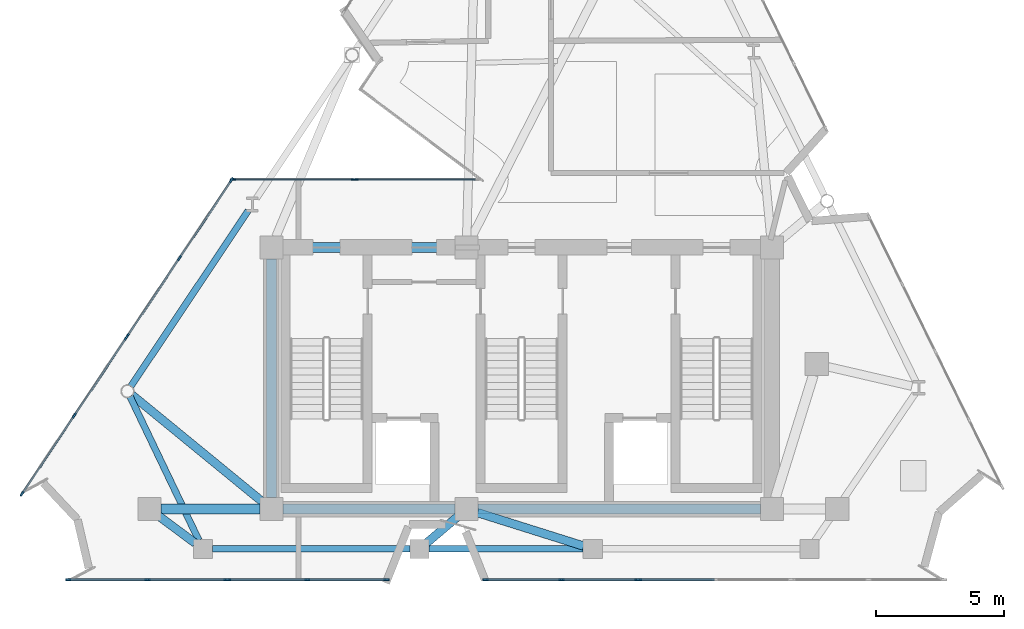
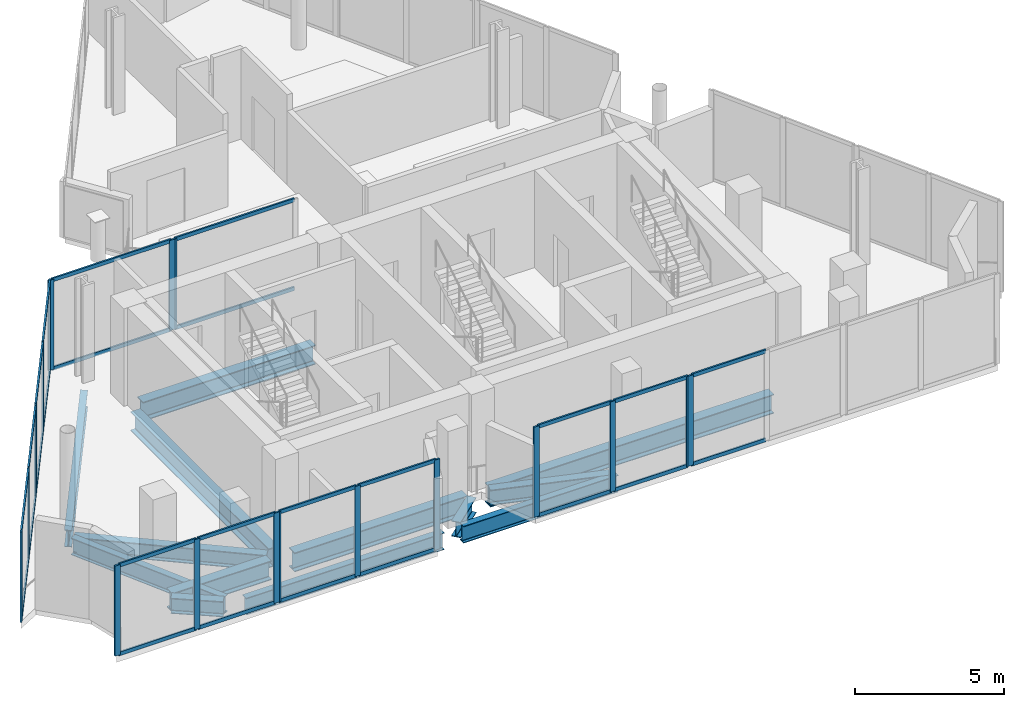
# One storey, part 2 of 9: 45 members, 13 beams, 8 elements without a shape of their own.
"""IFC4 building model written with IfcOpenShell, lengths in metres."""

from ifc_helpers import new_model, si_unit, direction, frame, origin, origin_2d, place, context, subcontext, project, spatial, rectangle, i_section, extrude, material, layer, layer_set, material_profile, profile_set, type_object, element, aggregate, save


model = new_model("IFC4")

# Units and contexts
model_context = context("Model", 3, precision=1e-05, world=origin(), true_north=direction((0.0, 1.0)))
body_context = subcontext(model_context, "Body", "Model", "MODEL_VIEW")
ifc_project = project(units=[si_unit("LENGTHUNIT", "METRE"), si_unit("AREAUNIT", "SQUARE_METRE"), si_unit("VOLUMEUNIT", "CUBIC_METRE"), si_unit("PLANEANGLEUNIT", "RADIAN"), si_unit("MASSUNIT", "GRAM", prefix="KILO")], contexts=[model_context])

# Site, building, storey
site_placement = place(None, origin())
site = spatial("IfcSite", under=ifc_project, at=site_placement, CompositionType="ELEMENT")
building_placement = place(site_placement, origin())
building = spatial("IfcBuilding", under=site, at=building_placement, Name="Almagre Mirador Tower", CompositionType="ELEMENT")
storey_placement = place(building_placement, frame((0.0, 0.0, 314.5)))
storey = spatial("IfcBuildingStorey", under=building, at=storey_placement, Name="L81", CompositionType="ELEMENT", Elevation=314.5)

# Beams
ifc_material_1 = material(Name="Steel ASTM A992 Grade 50", Category="steel")
ifc_material_profile_1 = material_profile(ifc_material_1, i_section(OverallWidth=0.256103515625, OverallDepth=0.693115234375, WebThickness=0.014404296875, FlangeThickness=0.023681640625, FilletRadius=0.02197265625, at=origin_2d()), Name="W27X114")
ifc_profile_set_1 = profile_set([ifc_material_profile_1], Name="Steel ASTM A992 Grade 50")
beam_type_1 = type_object("IfcBeamType", Name="BM-SPN-W27X114", PredefinedType="SPANDREL", material=ifc_profile_set_1)
beam_1_placement = place(storey_placement, frame((25.259033203125, 3.0, -0.646484375), z_axis=(1.0, 0.0, 0.0), x_axis=(0.0, 1.0, 0.0)))
element("IfcBeam", 1, at=beam_1_placement, inside=storey, type_object=beam_type_1, Name="L81 perimeter spandrel beam PC01-PC02", PredefinedType="SPANDREL", context=body_context, shape_type="SweptSolid", body=[
    extrude(i_section(OverallWidth=0.256103515625, OverallDepth=0.693115234375, WebThickness=0.014404296875, FlangeThickness=0.023681640625, FilletRadius=0.02197265625, at=origin_2d()), origin(), (0.0, 0.0, 1.0), 7.68994140625),
])
beam_2_placement = place(storey_placement, frame((33.698974609375, 3.0, -0.646484375), z_axis=(1.0, 0.0, 0.0), x_axis=(0.0, 1.0, 0.0)))
element("IfcBeam", 2, at=beam_2_placement, inside=storey, type_object=beam_type_1, Name="L81 perimeter spandrel beam PC02-PC03", PredefinedType="SPANDREL", context=body_context, shape_type="SweptSolid", body=[
    extrude(i_section(OverallWidth=0.256103515625, OverallDepth=0.693115234375, WebThickness=0.014404296875, FlangeThickness=0.023681640625, FilletRadius=0.02197265625, at=origin_2d()), origin(), (0.0, 0.0, 1.0), 6.001953125),
])
beam_3_placement = place(storey_placement, frame((26.645751953125, 16.18505859375, -0.646484375), z_axis=(-0.555219210279, -0.831704051052, 0.0), x_axis=(0.831704051052, -0.555219210279, 0.0)))
element("IfcBeam", 3, at=beam_3_placement, inside=storey, type_object=beam_type_1, Name="L81 perimeter spandrel beam PC11-PC12", PredefinedType="SPANDREL", context=body_context, shape_type="SweptSolid", body=[
    extrude(i_section(OverallWidth=0.256103515625, OverallDepth=0.693115234375, WebThickness=0.014404296875, FlangeThickness=0.023681640625, FilletRadius=0.02197265625, at=origin_2d()), origin(), (0.0, 0.0, 1.0), 8.248291015625),
])
beam_4_placement = place(storey_placement, frame((22.0390625, 8.943603515625, -0.646484375), z_axis=(0.431747396031, -0.901994559862, 0.0), x_axis=(0.901994559862, 0.431747396031, 0.0)))
element("IfcBeam", 4, at=beam_4_placement, inside=storey, type_object=beam_type_1, Name="L81 perimeter spandrel beam PC12-PC01", PredefinedType="SPANDREL", context=body_context, shape_type="SweptSolid", body=[
    extrude(i_section(OverallWidth=0.256103515625, OverallDepth=0.693115234375, WebThickness=0.014404296875, FlangeThickness=0.023681640625, FilletRadius=0.02197265625, at=origin_2d()), origin(), (0.0, 0.0, 1.0), 6.214599609375),
])
ifc_material_2 = material(Name="Steel ASTM A992 Grade 50", Category="steel")
ifc_material_profile_2 = material_profile(ifc_material_2, i_section(OverallWidth=0.330078125, OverallDepth=0.635009765625, WebThickness=0.017822265625, FlangeThickness=0.031005859375, FilletRadius=0.02001953125, at=origin_2d()), Name="W24X162")
ifc_profile_set_2 = profile_set([ifc_material_profile_2], Name="Steel ASTM A992 Grade 50")
beam_type_2 = type_object("IfcBeamType", Name="BM-STL-W24X162", PredefinedType="BEAM", material=ifc_profile_set_2)
beam_5_placement = place(storey_placement, frame((24.5830078125, 3.223876953125, -0.617431640625), z_axis=(-0.802374373866, 0.596821048693, 0.0), x_axis=(-0.596821048693, -0.802374373866, 0.0)))
element("IfcBeam", 5, at=beam_5_placement, inside=storey, type_object=beam_type_2, Name="L81 radial floor girder PC01-MC1", PredefinedType="BEAM", context=body_context, shape_type="SweptSolid", body=[
    extrude(i_section(OverallWidth=0.330078125, OverallDepth=0.635009765625, WebThickness=0.017822265625, FlangeThickness=0.031005859375, FilletRadius=0.02001953125, at=origin_2d()), origin(), (0.0, 0.0, 1.0), 1.77197265625),
])
beam_6_placement = place(storey_placement, frame((33.60986328125, 3.24267578125, -0.617431640625), z_axis=(0.76236500019, 0.647147283457, 0.0), x_axis=(-0.647147283457, 0.76236500019, 0.0)))
element("IfcBeam", 6, at=beam_6_placement, inside=storey, type_object=beam_type_2, Name="L81 radial floor girder PC02-CC2", PredefinedType="BEAM", context=body_context, shape_type="SweptSolid", body=[
    extrude(i_section(OverallWidth=0.330078125, OverallDepth=0.635009765625, WebThickness=0.017822265625, FlangeThickness=0.031005859375, FilletRadius=0.02001953125, at=origin_2d()), origin(), (0.0, 0.0, 1.0), 1.570068359375),
])
beam_7_placement = place(storey_placement, frame((39.71826171875, 3.112548828125, -0.617431640625), z_axis=(-0.953898482719, 0.300129446518, 0.0), x_axis=(-0.300129446518, -0.953898482719, 0.0)))
element("IfcBeam", 7, at=beam_7_placement, inside=storey, type_object=beam_type_2, Name="L81 radial floor girder PC03-CC2", PredefinedType="BEAM", context=body_context, shape_type="SweptSolid", body=[
    extrude(i_section(OverallWidth=0.330078125, OverallDepth=0.635009765625, WebThickness=0.017822265625, FlangeThickness=0.031005859375, FilletRadius=0.02001953125, at=origin_2d()), origin(), (0.0, 0.0, 1.0), 4.3388671875),
])
beam_8_placement = place(storey_placement, frame((22.1142578125, 9.002685546875, -0.617431640625), z_axis=(0.773594952934, -0.633680399567, 0.0), x_axis=(0.633680399567, 0.773594952934, 0.0)))
element("IfcBeam", 8, at=beam_8_placement, inside=storey, type_object=beam_type_2, Name="L81 radial floor girder PC12-CC1", PredefinedType="BEAM", context=body_context, shape_type="SweptSolid", body=[
    extrude(i_section(OverallWidth=0.330078125, OverallDepth=0.635009765625, WebThickness=0.017822265625, FlangeThickness=0.031005859375, FilletRadius=0.02001953125, at=origin_2d()), origin(), (0.0, 0.0, 1.0), 6.57666015625),
])
ifc_material_3 = material(Name="Steel ASTM A992 Grade 50", Category="steel")
ifc_material_profile_3 = material_profile(ifc_material_3, i_section(OverallWidth=0.384033203125, OverallDepth=0.784912109375, WebThickness=0.019775390625, FlangeThickness=0.033447265625, FilletRadius=0.02392578125, at=origin_2d()), Name="W30X211")
ifc_profile_set_3 = profile_set([ifc_material_profile_3], Name="Steel ASTM A992 Grade 50")
beam_type_3 = type_object("IfcBeamType", Name="BM-STL-W30X211", PredefinedType="BEAM", material=ifc_profile_set_3)
beam_9_placement = place(storey_placement, frame((28.0, 4.550048828125, -0.6923828125), z_axis=(1.0, 0.0, 0.0), x_axis=(0.0, 1.0, 0.0)))
element("IfcBeam", 9, at=beam_9_placement, inside=storey, type_object=beam_type_3, Name="L81 core tie girder CC1-CC2", PredefinedType="BEAM", context=body_context, shape_type="SweptSolid", body=[
    extrude(i_section(OverallWidth=0.384033203125, OverallDepth=0.784912109375, WebThickness=0.019775390625, FlangeThickness=0.033447265625, FilletRadius=0.02392578125, at=origin_2d()), origin(), (0.0, 0.0, 1.0), 6.699951171875),
])
beam_10_placement = place(storey_placement, frame((35.60009765625, 4.550048828125, -0.6923828125), z_axis=(1.0, 0.0, 0.0), x_axis=(0.0, 1.0, 0.0)))
element("IfcBeam", 10, at=beam_10_placement, inside=storey, type_object=beam_type_3, Name="L81 core tie girder CC2-CC3", PredefinedType="BEAM", context=body_context, shape_type="SweptSolid", body=[
    extrude(i_section(OverallWidth=0.384033203125, OverallDepth=0.784912109375, WebThickness=0.019775390625, FlangeThickness=0.033447265625, FilletRadius=0.02392578125, at=origin_2d()), origin(), (0.0, 0.0, 1.0), 11.0),
])
beam_11_placement = place(storey_placement, frame((28.0, 14.75, -0.6923828125), z_axis=(1.0, 0.0, 0.0), x_axis=(0.0, 1.0, 0.0)))
element("IfcBeam", 11, at=beam_11_placement, inside=storey, type_object=beam_type_3, Name="L81 core tie girder CC4-CC5", PredefinedType="BEAM", context=body_context, shape_type="SweptSolid", body=[
    extrude(i_section(OverallWidth=0.384033203125, OverallDepth=0.784912109375, WebThickness=0.019775390625, FlangeThickness=0.033447265625, FilletRadius=0.02392578125, at=origin_2d()), origin(), (0.0, 0.0, 1.0), 6.699951171875),
])
beam_12_placement = place(storey_placement, frame((27.550048828125, 5.0, -0.6923828125), z_axis=(0.0, 1.0, 0.0), x_axis=(-1.0, 0.0, 0.0)))
element("IfcBeam", 12, at=beam_12_placement, inside=storey, type_object=beam_type_3, Name="L81 core tie girder CC1-CC4", PredefinedType="BEAM", context=body_context, shape_type="SweptSolid", body=[
    extrude(i_section(OverallWidth=0.384033203125, OverallDepth=0.784912109375, WebThickness=0.019775390625, FlangeThickness=0.033447265625, FilletRadius=0.02392578125, at=origin_2d()), origin(), (0.0, 0.0, 1.0), 9.300048828125),
])
beam_13_placement = place(storey_placement, frame((23.25, 4.550048828125, -0.6923828125), z_axis=(1.0, 0.0, 0.0), x_axis=(0.0, 1.0, 0.0)))
element("IfcBeam", 13, at=beam_13_placement, inside=storey, type_object=beam_type_3, Name="L81 core tie girder MC1-CC1", PredefinedType="BEAM", context=body_context, shape_type="SweptSolid", body=[
    extrude(i_section(OverallWidth=0.384033203125, OverallDepth=0.784912109375, WebThickness=0.019775390625, FlangeThickness=0.033447265625, FilletRadius=0.02392578125, at=origin_2d()), origin(), (0.0, 0.0, 1.0), 3.85009765625),
])

# Curtain wall, members
ifc_material_4 = material(Name="Black anodized aluminium", Category="aluminium")
ifc_layer = layer(ifc_material_4, 0.2099609375)
ifc_layer_set = layer_set([ifc_layer], Name="Black anodized aluminium")
curtain_wall_type = type_object("IfcCurtainWallType", Name="CW-CRN-SYS", PredefinedType="NOTDEFINED", material=ifc_layer_set)
curtain_wall_1_placement = place(storey_placement, origin())
curtain_wall_1 = element("IfcCurtainWall", 14, at=curtain_wall_1_placement, inside=storey, type_object=curtain_wall_type, Name="L81 curtain wall run 01", PredefinedType="NOTDEFINED")
ifc_material_5 = material(Name="Black anodized aluminium", Category="aluminium")
ifc_material_profile_4 = material_profile(ifc_material_5, rectangle(XDim=0.070068359375, YDim=0.2099609375, at=origin_2d()), Name="CWM70X210")
ifc_profile_set_4 = profile_set([ifc_material_profile_4], Name="Black anodized aluminium")
member_type_1 = type_object("IfcMemberType", Name="MBR-CWM70X210", PredefinedType="MULLION", material=ifc_profile_set_4)
member_1_placement = place(storey_placement, frame((17.840576171875, 5.15625, 0.0), z_axis=(0.0, 0.0, 1.0), x_axis=(-0.831678952689, 0.555256805141, 0.0)))
member_1 = element("IfcMember", 15, at=member_1_placement, type_object=member_type_1, Name="CW-6 mullion 1", PredefinedType="MULLION", context=body_context, shape_type="SweptSolid", body=[
    extrude(rectangle(XDim=0.070068359375, YDim=0.2099609375, at=origin_2d()), origin(), (0.0, 0.0, 1.0), 3.699951171875),
])
member_2_placement = place(storey_placement, frame((19.869384765625, 8.1953125, 0.0), z_axis=(0.0, 0.0, 1.0), x_axis=(-0.831678952689, 0.555256805141, 0.0)))
member_2 = element("IfcMember", 16, at=member_2_placement, type_object=member_type_1, Name="CW-6 mullion 2", PredefinedType="MULLION", context=body_context, shape_type="SweptSolid", body=[
    extrude(rectangle(XDim=0.070068359375, YDim=0.2099609375, at=origin_2d()), origin(), (0.0, 0.0, 1.0), 3.699951171875),
])
member_3_placement = place(storey_placement, frame((21.8984375, 11.234375, 0.0), z_axis=(0.0, 0.0, 1.0), x_axis=(-0.831678952689, 0.555256805141, 0.0)))
member_3 = element("IfcMember", 17, at=member_3_placement, type_object=member_type_1, Name="CW-6 mullion 3", PredefinedType="MULLION", context=body_context, shape_type="SweptSolid", body=[
    extrude(rectangle(XDim=0.070068359375, YDim=0.2099609375, at=origin_2d()), origin(), (0.0, 0.0, 1.0), 3.699951171875),
])

curtain_wall_2_placement = place(storey_placement, origin())
curtain_wall_2 = element("IfcCurtainWall", 18, at=curtain_wall_2_placement, inside=storey, type_object=curtain_wall_type, Name="L81 curtain wall run 02", PredefinedType="NOTDEFINED")
member_4_placement = place(storey_placement, frame((21.937255859375, 11.292724609375, 0.0), z_axis=(0.0, 0.0, 1.0), x_axis=(-0.831685211597, 0.555247430261, 0.0)))
member_4 = element("IfcMember", 19, at=member_4_placement, type_object=member_type_1, Name="CW-6 mullion 1", PredefinedType="MULLION", context=body_context, shape_type="SweptSolid", body=[
    extrude(rectangle(XDim=0.070068359375, YDim=0.2099609375, at=origin_2d()), origin(), (0.0, 0.0, 1.0), 3.699951171875),
])
member_5_placement = place(storey_placement, frame((23.96630859375, 14.33154296875, 0.0), z_axis=(0.0, 0.0, 1.0), x_axis=(-0.831685211597, 0.555247430261, 0.0)))
member_5 = element("IfcMember", 20, at=member_5_placement, type_object=member_type_1, Name="CW-6 mullion 2", PredefinedType="MULLION", context=body_context, shape_type="SweptSolid", body=[
    extrude(rectangle(XDim=0.070068359375, YDim=0.2099609375, at=origin_2d()), origin(), (0.0, 0.0, 1.0), 3.699951171875),
])
member_6_placement = place(storey_placement, frame((25.9951171875, 17.37060546875, 0.0), z_axis=(0.0, 0.0, 1.0), x_axis=(-0.831685211597, 0.555247430261, 0.0)))
member_6 = element("IfcMember", 21, at=member_6_placement, type_object=member_type_1, Name="CW-6 mullion 3", PredefinedType="MULLION", context=body_context, shape_type="SweptSolid", body=[
    extrude(rectangle(XDim=0.070068359375, YDim=0.2099609375, at=origin_2d()), origin(), (0.0, 0.0, 1.0), 3.699951171875),
])

curtain_wall_3_placement = place(storey_placement, origin())
curtain_wall_3 = element("IfcCurtainWall", 22, at=curtain_wall_3_placement, inside=storey, type_object=curtain_wall_type, Name="L81 curtain wall run 03", PredefinedType="NOTDEFINED")
member_7_placement = place(storey_placement, frame((26.050048828125, 17.39990234375, 0.0), z_axis=(0.0, 0.0, 1.0), x_axis=(0.0, 1.0, 0.0)))
member_7 = element("IfcMember", 23, at=member_7_placement, type_object=member_type_1, Name="CW-6 mullion 1", PredefinedType="MULLION", context=body_context, shape_type="SweptSolid", body=[
    extrude(rectangle(XDim=0.070068359375, YDim=0.2099609375, at=origin_2d()), origin(), (0.0, 0.0, 1.0), 3.699951171875),
])
member_8_placement = place(storey_placement, frame((30.757568359375, 17.39990234375, 0.0), z_axis=(0.0, 0.0, 1.0), x_axis=(0.0, 1.0, 0.0)))
member_8 = element("IfcMember", 24, at=member_8_placement, type_object=member_type_1, Name="CW-6 mullion 2", PredefinedType="MULLION", context=body_context, shape_type="SweptSolid", body=[
    extrude(rectangle(XDim=0.070068359375, YDim=0.2099609375, at=origin_2d()), origin(), (0.0, 0.0, 1.0), 3.699951171875),
])

# Curtain wall, member
curtain_wall_4_placement = place(storey_placement, origin())
curtain_wall_4 = element("IfcCurtainWall", 25, at=curtain_wall_4_placement, inside=storey, type_object=curtain_wall_type, Name="L81 curtain wall run 04", PredefinedType="NOTDEFINED")
member_9_placement = place(storey_placement, frame((30.827392578125, 17.39990234375, 0.0), z_axis=(0.0, 0.0, 1.0), x_axis=(0.0, 1.0, 0.0)))
member_9 = element("IfcMember", 26, at=member_9_placement, type_object=member_type_1, Name="CW-6 mullion 1", PredefinedType="MULLION", context=body_context, shape_type="SweptSolid", body=[
    extrude(rectangle(XDim=0.070068359375, YDim=0.2099609375, at=origin_2d()), origin(), (0.0, 0.0, 1.0), 3.699951171875),
])

curtain_wall_5_placement = place(storey_placement, origin())
curtain_wall_5 = element("IfcCurtainWall", 27, at=curtain_wall_5_placement, inside=storey, type_object=curtain_wall_type, Name="L81 curtain wall run 13", PredefinedType="NOTDEFINED")
member_10_placement = place(storey_placement, frame((41.877685546875, 1.800048828125, 0.0), z_axis=(0.0, 0.0, 1.0), x_axis=(0.0, -1.0, 0.0)))
member_10 = element("IfcMember", 28, at=member_10_placement, type_object=member_type_1, Name="CW-6 mullion 3", PredefinedType="MULLION", context=body_context, shape_type="SweptSolid", body=[
    extrude(rectangle(XDim=0.070068359375, YDim=0.2099609375, at=origin_2d()), origin(), (0.0, 0.0, 1.0), 3.699951171875),
])

# Curtain wall, members
curtain_wall_6_placement = place(storey_placement, origin())
curtain_wall_6 = element("IfcCurtainWall", 29, at=curtain_wall_6_placement, inside=storey, type_object=curtain_wall_type, Name="L81 curtain wall run 14", PredefinedType="NOTDEFINED")
member_11_placement = place(storey_placement, frame((41.8076171875, 1.800048828125, 0.0), z_axis=(0.0, 0.0, 1.0), x_axis=(0.0, -1.0, 0.0)))
member_11 = element("IfcMember", 30, at=member_11_placement, type_object=member_type_1, Name="CW-6 mullion 1", PredefinedType="MULLION", context=body_context, shape_type="SweptSolid", body=[
    extrude(rectangle(XDim=0.070068359375, YDim=0.2099609375, at=origin_2d()), origin(), (0.0, 0.0, 1.0), 3.699951171875),
])
member_12_placement = place(storey_placement, frame((38.853515625, 1.800048828125, 0.0), z_axis=(0.0, 0.0, 1.0), x_axis=(0.0, -1.0, 0.0)))
member_12 = element("IfcMember", 31, at=member_12_placement, type_object=member_type_1, Name="CW-6 mullion 2", PredefinedType="MULLION", context=body_context, shape_type="SweptSolid", body=[
    extrude(rectangle(XDim=0.070068359375, YDim=0.2099609375, at=origin_2d()), origin(), (0.0, 0.0, 1.0), 3.699951171875),
])
member_13_placement = place(storey_placement, frame((35.899169921875, 1.800048828125, 0.0), z_axis=(0.0, 0.0, 1.0), x_axis=(0.0, -1.0, 0.0)))
member_13 = element("IfcMember", 32, at=member_13_placement, type_object=member_type_1, Name="CW-6 mullion 3", PredefinedType="MULLION", context=body_context, shape_type="SweptSolid", body=[
    extrude(rectangle(XDim=0.070068359375, YDim=0.2099609375, at=origin_2d()), origin(), (0.0, 0.0, 1.0), 3.699951171875),
])

curtain_wall_7_placement = place(storey_placement, origin())
curtain_wall_7 = element("IfcCurtainWall", 33, at=curtain_wall_7_placement, inside=storey, type_object=curtain_wall_type, Name="L81 curtain wall run 15", PredefinedType="NOTDEFINED")
member_14_placement = place(storey_placement, frame((32.02880859375, 1.800048828125, 0.0), z_axis=(0.0, 0.0, 1.0), x_axis=(0.0, -1.0, 0.0)))
member_14 = element("IfcMember", 34, at=member_14_placement, type_object=member_type_1, Name="CW-6 mullion 1", PredefinedType="MULLION", context=body_context, shape_type="SweptSolid", body=[
    extrude(rectangle(XDim=0.070068359375, YDim=0.2099609375, at=origin_2d()), origin(), (0.0, 0.0, 1.0), 3.699951171875),
])
member_15_placement = place(storey_placement, frame((28.947998046875, 1.800048828125, 0.0), z_axis=(0.0, 0.0, 1.0), x_axis=(0.0, -1.0, 0.0)))
member_15 = element("IfcMember", 35, at=member_15_placement, type_object=member_type_1, Name="CW-6 mullion 2", PredefinedType="MULLION", context=body_context, shape_type="SweptSolid", body=[
    extrude(rectangle(XDim=0.070068359375, YDim=0.2099609375, at=origin_2d()), origin(), (0.0, 0.0, 1.0), 3.699951171875),
])
member_16_placement = place(storey_placement, frame((25.866943359375, 1.800048828125, 0.0), z_axis=(0.0, 0.0, 1.0), x_axis=(0.0, -1.0, 0.0)))
member_16 = element("IfcMember", 36, at=member_16_placement, type_object=member_type_1, Name="CW-6 mullion 3", PredefinedType="MULLION", context=body_context, shape_type="SweptSolid", body=[
    extrude(rectangle(XDim=0.070068359375, YDim=0.2099609375, at=origin_2d()), origin(), (0.0, 0.0, 1.0), 3.699951171875),
])

curtain_wall_8_placement = place(storey_placement, origin())
curtain_wall_8 = element("IfcCurtainWall", 37, at=curtain_wall_8_placement, inside=storey, type_object=curtain_wall_type, Name="L81 curtain wall run 16", PredefinedType="NOTDEFINED")
member_17_placement = place(storey_placement, frame((25.797119140625, 1.800048828125, 0.0), z_axis=(0.0, 0.0, 1.0), x_axis=(0.0, -1.0, 0.0)))
member_17 = element("IfcMember", 38, at=member_17_placement, type_object=member_type_1, Name="CW-6 mullion 1", PredefinedType="MULLION", context=body_context, shape_type="SweptSolid", body=[
    extrude(rectangle(XDim=0.070068359375, YDim=0.2099609375, at=origin_2d()), origin(), (0.0, 0.0, 1.0), 3.699951171875),
])
member_18_placement = place(storey_placement, frame((22.716064453125, 1.800048828125, 0.0), z_axis=(0.0, 0.0, 1.0), x_axis=(0.0, -1.0, 0.0)))
member_18 = element("IfcMember", 39, at=member_18_placement, type_object=member_type_1, Name="CW-6 mullion 2", PredefinedType="MULLION", context=body_context, shape_type="SweptSolid", body=[
    extrude(rectangle(XDim=0.070068359375, YDim=0.2099609375, at=origin_2d()), origin(), (0.0, 0.0, 1.0), 3.699951171875),
])
member_19_placement = place(storey_placement, frame((19.63525390625, 1.800048828125, 0.0), z_axis=(0.0, 0.0, 1.0), x_axis=(0.0, -1.0, 0.0)))
member_19 = element("IfcMember", 40, at=member_19_placement, type_object=member_type_1, Name="CW-6 mullion 3", PredefinedType="MULLION", context=body_context, shape_type="SweptSolid", body=[
    extrude(rectangle(XDim=0.070068359375, YDim=0.2099609375, at=origin_2d()), origin(), (0.0, 0.0, 1.0), 3.699951171875),
])

# Member
ifc_material_6 = material(Name="Black anodized aluminium", Category="aluminium")
ifc_material_profile_5 = material_profile(ifc_material_6, rectangle(XDim=0.06494140625, YDim=0.14990234375, at=origin_2d()), Name="CWT65X150")
ifc_profile_set_5 = profile_set([ifc_material_profile_5], Name="Black anodized aluminium")
member_type_2 = type_object("IfcMemberType", Name="MBR-CWT65X150", PredefinedType="USERDEFINED", material=ifc_profile_set_5)
member_20_placement = place(storey_placement, frame((17.85986328125, 5.185302734375, 0.032470703125), z_axis=(0.55526593872, 0.831672854732, 0.0), x_axis=(-0.831672854732, 0.55526593872, 0.0)))
member_20 = element("IfcMember", 41, at=member_20_placement, type_object=member_type_2, Name="CW-6 transom 1.1", ObjectType="TRANSOM", PredefinedType="USERDEFINED", context=body_context, shape_type="SweptSolid", body=[
    extrude(rectangle(XDim=0.06494140625, YDim=0.14990234375, at=origin_2d()), origin(), (0.0, 0.0, 1.0), 3.584228515625),
])

member_21_placement = place(storey_placement, frame((17.85986328125, 5.185302734375, 3.66748046875), z_axis=(0.55526593872, 0.831672854732, 0.0), x_axis=(-0.831672854732, 0.55526593872, 0.0)))
member_21 = element("IfcMember", 42, at=member_21_placement, type_object=member_type_2, Name="CW-6 transom 1.2", ObjectType="TRANSOM", PredefinedType="USERDEFINED", context=body_context, shape_type="SweptSolid", body=[
    extrude(rectangle(XDim=0.06494140625, YDim=0.14990234375, at=origin_2d()), origin(), (0.0, 0.0, 1.0), 3.584228515625),
])

member_22_placement = place(storey_placement, frame((19.888916015625, 8.224365234375, 0.032470703125), z_axis=(0.55526593872, 0.831672854732, 0.0), x_axis=(-0.831672854732, 0.55526593872, 0.0)))
member_22 = element("IfcMember", 43, at=member_22_placement, type_object=member_type_2, Name="CW-6 transom 2.1", ObjectType="TRANSOM", PredefinedType="USERDEFINED", context=body_context, shape_type="SweptSolid", body=[
    extrude(rectangle(XDim=0.06494140625, YDim=0.14990234375, at=origin_2d()), origin(), (0.0, 0.0, 1.0), 3.584228515625),
])

member_23_placement = place(storey_placement, frame((19.888916015625, 8.224365234375, 3.66748046875), z_axis=(0.55526593872, 0.831672854732, 0.0), x_axis=(-0.831672854732, 0.55526593872, 0.0)))
member_23 = element("IfcMember", 44, at=member_23_placement, type_object=member_type_2, Name="CW-6 transom 2.2", ObjectType="TRANSOM", PredefinedType="USERDEFINED", context=body_context, shape_type="SweptSolid", body=[
    extrude(rectangle(XDim=0.06494140625, YDim=0.14990234375, at=origin_2d()), origin(), (0.0, 0.0, 1.0), 3.584228515625),
])

aggregate(curtain_wall_1, [member_1, member_2, member_3, member_20, member_21, member_22, member_23])

member_24_placement = place(storey_placement, frame((21.956787109375, 11.32177734375, 0.032470703125), z_axis=(0.55525027907, 0.831683309675, 0.0), x_axis=(-0.831683309675, 0.55525027907, 0.0)))
member_24 = element("IfcMember", 45, at=member_24_placement, type_object=member_type_2, Name="CW-6 transom 1.1", ObjectType="TRANSOM", PredefinedType="USERDEFINED", context=body_context, shape_type="SweptSolid", body=[
    extrude(rectangle(XDim=0.06494140625, YDim=0.14990234375, at=origin_2d()), origin(), (0.0, 0.0, 1.0), 3.583984375),
])

member_25_placement = place(storey_placement, frame((21.956787109375, 11.32177734375, 3.66748046875), z_axis=(0.55525027907, 0.831683309675, 0.0), x_axis=(-0.831683309675, 0.55525027907, 0.0)))
member_25 = element("IfcMember", 46, at=member_25_placement, type_object=member_type_2, Name="CW-6 transom 1.2", ObjectType="TRANSOM", PredefinedType="USERDEFINED", context=body_context, shape_type="SweptSolid", body=[
    extrude(rectangle(XDim=0.06494140625, YDim=0.14990234375, at=origin_2d()), origin(), (0.0, 0.0, 1.0), 3.583984375),
])

member_26_placement = place(storey_placement, frame((23.985595703125, 14.36083984375, 0.032470703125), z_axis=(0.555297395158, 0.831651851997, 0.0), x_axis=(-0.831651851997, 0.555297395158, 0.0)))
member_26 = element("IfcMember", 47, at=member_26_placement, type_object=member_type_2, Name="CW-6 transom 2.1", ObjectType="TRANSOM", PredefinedType="USERDEFINED", context=body_context, shape_type="SweptSolid", body=[
    extrude(rectangle(XDim=0.06494140625, YDim=0.14990234375, at=origin_2d()), origin(), (0.0, 0.0, 1.0), 3.583984375),
])

member_27_placement = place(storey_placement, frame((23.985595703125, 14.36083984375, 3.66748046875), z_axis=(0.555297395158, 0.831651851997, 0.0), x_axis=(-0.831651851997, 0.555297395158, 0.0)))
member_27 = element("IfcMember", 48, at=member_27_placement, type_object=member_type_2, Name="CW-6 transom 2.2", ObjectType="TRANSOM", PredefinedType="USERDEFINED", context=body_context, shape_type="SweptSolid", body=[
    extrude(rectangle(XDim=0.06494140625, YDim=0.14990234375, at=origin_2d()), origin(), (0.0, 0.0, 1.0), 3.583984375),
])

aggregate(curtain_wall_2, [member_4, member_5, member_6, member_24, member_25, member_26, member_27])

member_28_placement = place(storey_placement, frame((26.0849609375, 17.39990234375, 0.032470703125), z_axis=(1.0, 0.0, 0.0), x_axis=(0.0, 1.0, 0.0)))
member_28 = element("IfcMember", 49, at=member_28_placement, type_object=member_type_2, Name="CW-6 transom 1.1", ObjectType="TRANSOM", PredefinedType="USERDEFINED", context=body_context, shape_type="SweptSolid", body=[
    extrude(rectangle(XDim=0.06494140625, YDim=0.14990234375, at=origin_2d()), origin(), (0.0, 0.0, 1.0), 4.637451171875),
])

member_29_placement = place(storey_placement, frame((26.0849609375, 17.39990234375, 3.66748046875), z_axis=(1.0, 0.0, 0.0), x_axis=(0.0, 1.0, 0.0)))
member_29 = element("IfcMember", 50, at=member_29_placement, type_object=member_type_2, Name="CW-6 transom 1.2", ObjectType="TRANSOM", PredefinedType="USERDEFINED", context=body_context, shape_type="SweptSolid", body=[
    extrude(rectangle(XDim=0.06494140625, YDim=0.14990234375, at=origin_2d()), origin(), (0.0, 0.0, 1.0), 4.637451171875),
])

aggregate(curtain_wall_3, [member_7, member_8, member_28, member_29])

member_30_placement = place(storey_placement, frame((30.862548828125, 17.39990234375, 0.032470703125), z_axis=(1.0, 0.0, 0.0), x_axis=(0.0, 1.0, 0.0)))
member_30 = element("IfcMember", 51, at=member_30_placement, type_object=member_type_2, Name="CW-6 transom 1.1", ObjectType="TRANSOM", PredefinedType="USERDEFINED", context=body_context, shape_type="SweptSolid", body=[
    extrude(rectangle(XDim=0.06494140625, YDim=0.14990234375, at=origin_2d()), origin(), (0.0, 0.0, 1.0), 4.637451171875),
])

member_31_placement = place(storey_placement, frame((30.862548828125, 17.39990234375, 3.66748046875), z_axis=(1.0, 0.0, 0.0), x_axis=(0.0, 1.0, 0.0)))
member_31 = element("IfcMember", 52, at=member_31_placement, type_object=member_type_2, Name="CW-6 transom 1.2", ObjectType="TRANSOM", PredefinedType="USERDEFINED", context=body_context, shape_type="SweptSolid", body=[
    extrude(rectangle(XDim=0.06494140625, YDim=0.14990234375, at=origin_2d()), origin(), (0.0, 0.0, 1.0), 4.637451171875),
])

aggregate(curtain_wall_4, [member_9, member_30, member_31])

member_32_placement = place(storey_placement, frame((44.797119140625, 1.800048828125, 0.032470703125), z_axis=(-1.0, 0.0, 0.0), x_axis=(0.0, -1.0, 0.0)))
member_32 = element("IfcMember", 53, at=member_32_placement, type_object=member_type_2, Name="CW-6 transom 2.1", ObjectType="TRANSOM", PredefinedType="USERDEFINED", context=body_context, shape_type="SweptSolid", body=[
    extrude(rectangle(XDim=0.06494140625, YDim=0.14990234375, at=origin_2d()), origin(), (0.0, 0.0, 1.0), 2.884521484375),
])

member_33_placement = place(storey_placement, frame((44.797119140625, 1.800048828125, 3.66748046875), z_axis=(-1.0, 0.0, 0.0), x_axis=(0.0, -1.0, 0.0)))
member_33 = element("IfcMember", 54, at=member_33_placement, type_object=member_type_2, Name="CW-6 transom 2.2", ObjectType="TRANSOM", PredefinedType="USERDEFINED", context=body_context, shape_type="SweptSolid", body=[
    extrude(rectangle(XDim=0.06494140625, YDim=0.14990234375, at=origin_2d()), origin(), (0.0, 0.0, 1.0), 2.884521484375),
])

aggregate(curtain_wall_5, [member_10, member_32, member_33])

member_34_placement = place(storey_placement, frame((41.772705078125, 1.800048828125, 0.032470703125), z_axis=(-1.0, 0.0, 0.0), x_axis=(0.0, -1.0, 0.0)))
member_34 = element("IfcMember", 55, at=member_34_placement, type_object=member_type_2, Name="CW-6 transom 1.1", ObjectType="TRANSOM", PredefinedType="USERDEFINED", context=body_context, shape_type="SweptSolid", body=[
    extrude(rectangle(XDim=0.06494140625, YDim=0.14990234375, at=origin_2d()), origin(), (0.0, 0.0, 1.0), 2.88427734375),
])

member_35_placement = place(storey_placement, frame((41.772705078125, 1.800048828125, 3.66748046875), z_axis=(-1.0, 0.0, 0.0), x_axis=(0.0, -1.0, 0.0)))
member_35 = element("IfcMember", 56, at=member_35_placement, type_object=member_type_2, Name="CW-6 transom 1.2", ObjectType="TRANSOM", PredefinedType="USERDEFINED", context=body_context, shape_type="SweptSolid", body=[
    extrude(rectangle(XDim=0.06494140625, YDim=0.14990234375, at=origin_2d()), origin(), (0.0, 0.0, 1.0), 2.88427734375),
])

member_36_placement = place(storey_placement, frame((38.818359375, 1.800048828125, 0.032470703125), z_axis=(-1.0, 0.0, 0.0), x_axis=(0.0, -1.0, 0.0)))
member_36 = element("IfcMember", 57, at=member_36_placement, type_object=member_type_2, Name="CW-6 transom 2.1", ObjectType="TRANSOM", PredefinedType="USERDEFINED", context=body_context, shape_type="SweptSolid", body=[
    extrude(rectangle(XDim=0.06494140625, YDim=0.14990234375, at=origin_2d()), origin(), (0.0, 0.0, 1.0), 2.88427734375),
])

member_37_placement = place(storey_placement, frame((38.818359375, 1.800048828125, 3.66748046875), z_axis=(-1.0, 0.0, 0.0), x_axis=(0.0, -1.0, 0.0)))
member_37 = element("IfcMember", 58, at=member_37_placement, type_object=member_type_2, Name="CW-6 transom 2.2", ObjectType="TRANSOM", PredefinedType="USERDEFINED", context=body_context, shape_type="SweptSolid", body=[
    extrude(rectangle(XDim=0.06494140625, YDim=0.14990234375, at=origin_2d()), origin(), (0.0, 0.0, 1.0), 2.88427734375),
])

aggregate(curtain_wall_6, [member_11, member_12, member_13, member_34, member_35, member_36, member_37])

member_38_placement = place(storey_placement, frame((31.993896484375, 1.800048828125, 0.032470703125), z_axis=(-1.0, 0.0, 0.0), x_axis=(0.0, -1.0, 0.0)))
member_38 = element("IfcMember", 59, at=member_38_placement, type_object=member_type_2, Name="CW-6 transom 1.1", ObjectType="TRANSOM", PredefinedType="USERDEFINED", context=body_context, shape_type="SweptSolid", body=[
    extrude(rectangle(XDim=0.06494140625, YDim=0.14990234375, at=origin_2d()), origin(), (0.0, 0.0, 1.0), 3.010986328125),
])

member_39_placement = place(storey_placement, frame((31.993896484375, 1.800048828125, 3.66748046875), z_axis=(-1.0, 0.0, 0.0), x_axis=(0.0, -1.0, 0.0)))
member_39 = element("IfcMember", 60, at=member_39_placement, type_object=member_type_2, Name="CW-6 transom 1.2", ObjectType="TRANSOM", PredefinedType="USERDEFINED", context=body_context, shape_type="SweptSolid", body=[
    extrude(rectangle(XDim=0.06494140625, YDim=0.14990234375, at=origin_2d()), origin(), (0.0, 0.0, 1.0), 3.010986328125),
])

member_40_placement = place(storey_placement, frame((28.912841796875, 1.800048828125, 0.032470703125), z_axis=(-1.0, 0.0, 0.0), x_axis=(0.0, -1.0, 0.0)))
member_40 = element("IfcMember", 61, at=member_40_placement, type_object=member_type_2, Name="CW-6 transom 2.1", ObjectType="TRANSOM", PredefinedType="USERDEFINED", context=body_context, shape_type="SweptSolid", body=[
    extrude(rectangle(XDim=0.06494140625, YDim=0.14990234375, at=origin_2d()), origin(), (0.0, 0.0, 1.0), 3.0107421875),
])

member_41_placement = place(storey_placement, frame((28.912841796875, 1.800048828125, 3.66748046875), z_axis=(-1.0, 0.0, 0.0), x_axis=(0.0, -1.0, 0.0)))
member_41 = element("IfcMember", 62, at=member_41_placement, type_object=member_type_2, Name="CW-6 transom 2.2", ObjectType="TRANSOM", PredefinedType="USERDEFINED", context=body_context, shape_type="SweptSolid", body=[
    extrude(rectangle(XDim=0.06494140625, YDim=0.14990234375, at=origin_2d()), origin(), (0.0, 0.0, 1.0), 3.0107421875),
])

aggregate(curtain_wall_7, [member_14, member_15, member_16, member_38, member_39, member_40, member_41])

member_42_placement = place(storey_placement, frame((25.761962890625, 1.800048828125, 0.032470703125), z_axis=(-1.0, 0.0, 0.0), x_axis=(0.0, -1.0, 0.0)))
member_42 = element("IfcMember", 63, at=member_42_placement, type_object=member_type_2, Name="CW-6 transom 1.1", ObjectType="TRANSOM", PredefinedType="USERDEFINED", context=body_context, shape_type="SweptSolid", body=[
    extrude(rectangle(XDim=0.06494140625, YDim=0.14990234375, at=origin_2d()), origin(), (0.0, 0.0, 1.0), 3.0107421875),
])

member_43_placement = place(storey_placement, frame((25.761962890625, 1.800048828125, 3.66748046875), z_axis=(-1.0, 0.0, 0.0), x_axis=(0.0, -1.0, 0.0)))
member_43 = element("IfcMember", 64, at=member_43_placement, type_object=member_type_2, Name="CW-6 transom 1.2", ObjectType="TRANSOM", PredefinedType="USERDEFINED", context=body_context, shape_type="SweptSolid", body=[
    extrude(rectangle(XDim=0.06494140625, YDim=0.14990234375, at=origin_2d()), origin(), (0.0, 0.0, 1.0), 3.0107421875),
])

member_44_placement = place(storey_placement, frame((22.68115234375, 1.800048828125, 0.032470703125), z_axis=(-1.0, 0.0, 0.0), x_axis=(0.0, -1.0, 0.0)))
member_44 = element("IfcMember", 65, at=member_44_placement, type_object=member_type_2, Name="CW-6 transom 2.1", ObjectType="TRANSOM", PredefinedType="USERDEFINED", context=body_context, shape_type="SweptSolid", body=[
    extrude(rectangle(XDim=0.06494140625, YDim=0.14990234375, at=origin_2d()), origin(), (0.0, 0.0, 1.0), 3.010986328125),
])

member_45_placement = place(storey_placement, frame((22.68115234375, 1.800048828125, 3.66748046875), z_axis=(-1.0, 0.0, 0.0), x_axis=(0.0, -1.0, 0.0)))
member_45 = element("IfcMember", 66, at=member_45_placement, type_object=member_type_2, Name="CW-6 transom 2.2", ObjectType="TRANSOM", PredefinedType="USERDEFINED", context=body_context, shape_type="SweptSolid", body=[
    extrude(rectangle(XDim=0.06494140625, YDim=0.14990234375, at=origin_2d()), origin(), (0.0, 0.0, 1.0), 3.010986328125),
])

aggregate(curtain_wall_8, [member_17, member_18, member_19, member_42, member_43, member_44, member_45])

save(model, "model.ifc")
